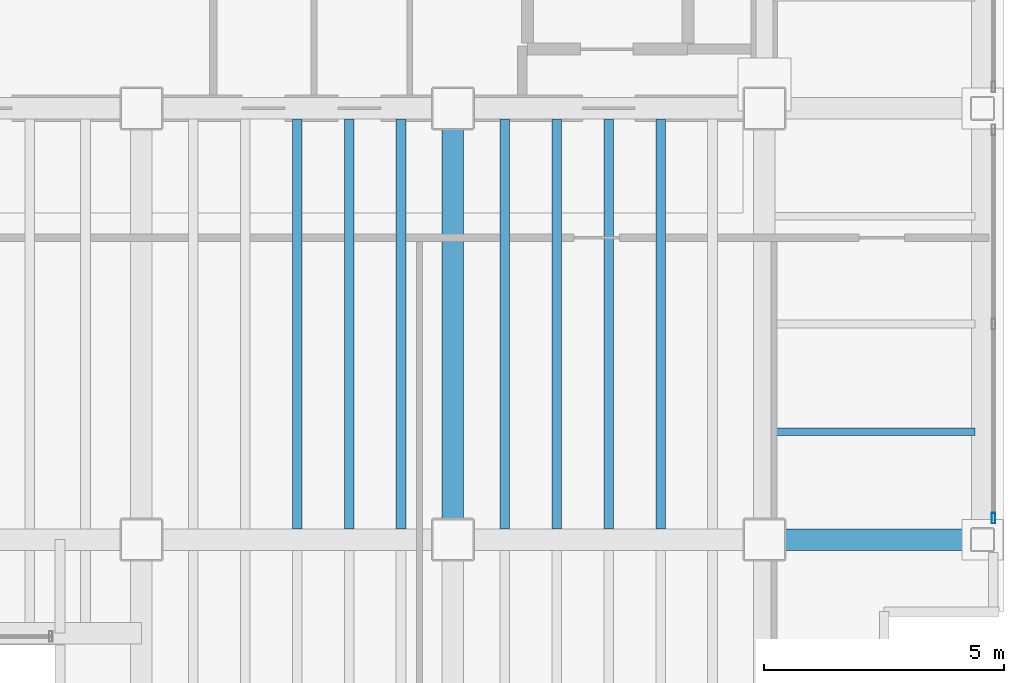
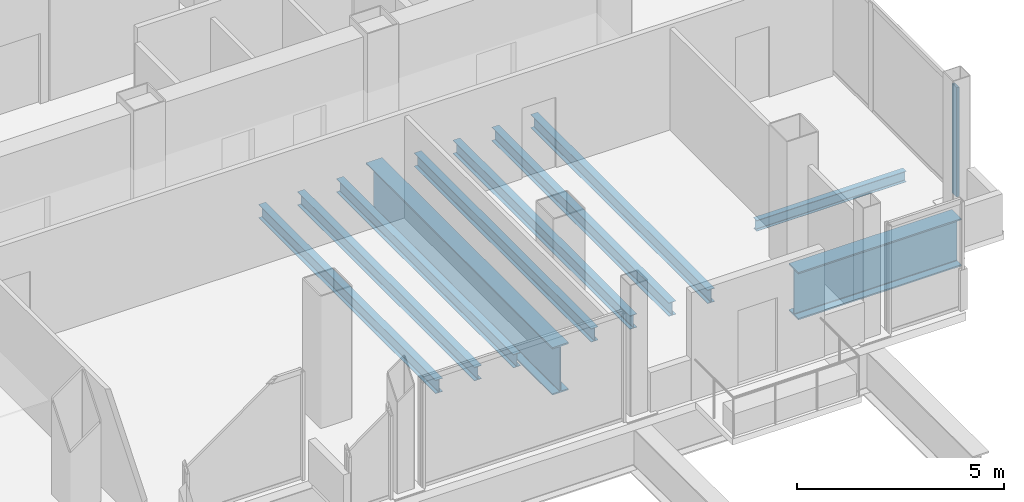
# One storey, part 14 of 24: 10 beams, 1 member, 1 element without a shape of its own.
"""IFC4 building model written with IfcOpenShell, lengths in metres."""

import ifcopenshell
import ifcopenshell.guid

model = None  # the IFC model being written
_history = None  # IfcOwnerHistory: only IFC2X3 demands one
_inside = {}  # id of a spatial element -> (the spatial element, [elements in it])
_under = {}  # id of a project, library or spatial element -> (it, [spatial elements below it])
_declared = {}  # id of a project -> (the project, [libraries it declares])
_typed = {}  # id of a type object -> (the type object, [elements of that type])
_made_of = {}  # id of a material, layer set ... -> (it, [elements and type objects made of it])


def new_model(schema):
    """Start an empty IFC model of exactly this schema.

    Asked for "IFC4X3", IfcOpenShell would pick the latest addendum, in which some entities
    have other attributes; the version numbers below select the first issue.
    IFC2X3 requires an IfcOwnerHistory on every rooted entity: one is made here for all.
    """
    global model, _history
    if schema == "IFC4X3":
        model = ifcopenshell.file(schema_version=(4, 3, 0, 0))
    else:
        model = ifcopenshell.file(schema=schema)
    _inside.clear()
    _under.clear()
    _declared.clear()
    _typed.clear()
    _made_of.clear()
    _history = None
    if model.schema == "IFC2X3":
        org = make("IfcOrganization", Name="unknown")
        user = make(
            "IfcPersonAndOrganization",
            ThePerson=make("IfcPerson", FamilyName="unknown"),
            TheOrganization=org,
        )
        app = make(
            "IfcApplication",
            ApplicationDeveloper=org,
            Version="unknown",
            ApplicationFullName="unknown",
            ApplicationIdentifier="unknown",
        )
        _history = make(
            "IfcOwnerHistory",
            OwningUser=user,
            OwningApplication=app,
            ChangeAction="ADDED",
            CreationDate=0,
        )
    return model


def make(cls, **values):
    """One entity of the class cls with the attributes given. An attribute that is None is left unset."""
    return model.create_entity(
        cls, **{name: value for name, value in values.items() if value is not None}
    )


def rooted(cls, **values):
    """An entity with a GlobalId (a new one), such as an element, a storey or a relation."""
    return make(cls, GlobalId=ifcopenshell.guid.new(), OwnerHistory=_history, **values)


def si_unit(unit_type, name, prefix=None):
    """IfcSIUnit, for example si_unit("LENGTHUNIT", "METRE", prefix="MILLI")."""
    return make("IfcSIUnit", UnitType=unit_type, Prefix=prefix, Name=name)


def assignment(units):
    """IfcUnitAssignment: the units of a project."""
    return None if units is None else make("IfcUnitAssignment", Units=units)


def point(xyz):
    """IfcCartesianPoint."""
    return None if xyz is None else make("IfcCartesianPoint", Coordinates=xyz)


def direction(xyz):
    """IfcDirection."""
    return None if xyz is None else make("IfcDirection", DirectionRatios=xyz)


def frame(location, z_axis=None, x_axis=None):
    """IfcAxis2Placement3D, a coordinate frame: its origin and axes. An axis left out is left unset."""
    return make(
        "IfcAxis2Placement3D",
        Location=point(location),
        Axis=direction(z_axis),
        RefDirection=direction(x_axis),
    )


def frame_2d(location, x_axis=None):
    """IfcAxis2Placement2D, a coordinate frame in the plane: its origin and x axis."""
    return make(
        "IfcAxis2Placement2D", Location=point(location), RefDirection=direction(x_axis)
    )


def origin():
    """The frame at (0, 0, 0) with its axes left unset."""
    return frame((0.0, 0.0, 0.0))


def origin_2d():
    """The frame at (0, 0) in the plane with its x axis left unset."""
    return frame_2d((0.0, 0.0))


def place(relative_to, where):
    """IfcLocalPlacement: puts the frame where relative to a parent placement (None: the world)."""
    return make(
        "IfcLocalPlacement", PlacementRelTo=relative_to, RelativePlacement=where
    )


def context(
    kind, dimensions, precision=None, world=None, true_north=None, identifier=None
):
    """IfcGeometricRepresentationContext, for example the 3D "Model" context."""
    return make(
        "IfcGeometricRepresentationContext",
        ContextIdentifier=identifier,
        ContextType=kind,
        CoordinateSpaceDimension=dimensions,
        Precision=precision,
        WorldCoordinateSystem=world,
        TrueNorth=true_north,
    )


def subcontext(parent, identifier, kind, view, scale=None):
    """IfcGeometricRepresentationSubContext, for example "Body" below "Model"."""
    return make(
        "IfcGeometricRepresentationSubContext",
        ContextIdentifier=identifier,
        ContextType=kind,
        ParentContext=parent,
        TargetScale=scale,
        TargetView=view,
    )


def project(units=None, contexts=None):
    """IfcProject with its units and contexts."""
    return rooted(
        "IfcProject",
        Name="project",
        RepresentationContexts=contexts,
        UnitsInContext=assignment(units),
    )


def spatial(cls, under=None, at=None, **own):
    """A site, building, storey or space (cls), placed at a placement, below another one or the project."""
    s = rooted(cls, ObjectPlacement=at, **own)
    if under is not None:
        _under.setdefault(under.id(), (under, []))[1].append(s)
    return s


def profile(cls, at=None, kind="AREA", **sizes):
    """A parametric profile (cls). Its sizes go by their IFC names, for example OverallWidth=200.0."""
    return make(cls, ProfileType=kind, Position=at, **sizes)


def hollow_rectangle(**sizes):
    """IfcRectangleHollowProfileDef."""
    return profile("IfcRectangleHollowProfileDef", **sizes)


def i_section(**sizes):
    """IfcIShapeProfileDef."""
    return profile("IfcIShapeProfileDef", **sizes)


def extrude(swept, where, along, depth):
    """IfcExtrudedAreaSolid: the profile swept, set in the frame where, extruded along a direction by depth."""
    return make(
        "IfcExtrudedAreaSolid",
        SweptArea=swept,
        Position=where,
        ExtrudedDirection=direction(along),
        Depth=depth,
    )


def shape(context_of_items, identifier, shape_type, items):
    """IfcShapeRepresentation: the items that make up one representation, for example the "Body"."""
    return make(
        "IfcShapeRepresentation",
        ContextOfItems=context_of_items,
        RepresentationIdentifier=identifier,
        RepresentationType=shape_type,
        Items=items,
    )


def material(Name=None, Category=None):
    """IfcMaterial."""
    return make("IfcMaterial", Name=Name, Category=Category)


def material_profile(
    of_material, cross_section, Name=None, Category=None, Priority=None
):
    """IfcMaterialProfile: a cross section and its material."""
    return make(
        "IfcMaterialProfile",
        Name=Name,
        Material=of_material,
        Profile=cross_section,
        Priority=Priority,
        Category=Category,
    )


def profile_set(profiles, Name=None, composite=None):
    """IfcMaterialProfileSet."""
    return make(
        "IfcMaterialProfileSet",
        Name=Name,
        MaterialProfiles=profiles,
        CompositeProfile=composite,
    )


def made_of(thing, what):
    """Note that an element or type object is made of a material, layer set ...; save() writes the relation."""
    if what is not None:
        _made_of.setdefault(what.id(), (what, []))[1].append(thing)
    return thing


def type_object(cls, material=None, **own):
    """A type object (cls), such as IfcWallType, which elements share."""
    return made_of(rooted(cls, **own), material)


def element(
    cls,
    number,
    at=None,
    inside=None,
    cuts=None,
    type_object=None,
    material=None,
    context=None,
    identifier="Body",
    shape_type=None,
    held_by="IfcProductDefinitionShape",
    body=None,
    shapes=None,
    **own,
):
    """One element of the class cls, such as IfcWall. Its Tag is "e" and its number.

    at: its placement. inside: the storey or other place that contains it. cuts: it is an
    opening in that element (IfcRelVoidsElement). A single representation is given by context,
    identifier, shape_type and body (its items); several are given by shapes. held_by: the class
    of the entity that holds the representations. save() writes the other relations.
    """
    e = rooted(cls, Tag="e%d" % number, ObjectPlacement=at, **own)
    if body is not None:
        shapes = [shape(context, identifier, shape_type, body)]
    if shapes is not None:
        e.Representation = make(held_by, Representations=shapes)
    if inside is not None:
        _inside.setdefault(inside.id(), (inside, []))[1].append(e)
    if cuts is not None:
        rooted(
            "IfcRelVoidsElement", RelatingBuildingElement=cuts, RelatedOpeningElement=e
        )
    if type_object is not None:
        _typed.setdefault(type_object.id(), (type_object, []))[1].append(e)
    return made_of(e, material)


def aggregate(whole, parts):
    """IfcRelAggregates: a whole, such as a stair, and the parts it consists of."""
    return rooted("IfcRelAggregates", RelatingObject=whole, RelatedObjects=parts)


def save(model, path):
    """Write the relations noted so far, then the file.

    IfcRelAggregates (storeys below a building ...), IfcRelContainedInSpatialStructure (elements
    in a storey), IfcRelDefinesByType, IfcRelAssociatesMaterial and IfcRelDeclares: one each for
    every whole, place, type object, material and project.
    """
    for whole, parts in _under.values():
        aggregate(whole, parts)
    for where, things in _inside.values():
        rooted(
            "IfcRelContainedInSpatialStructure",
            RelatedElements=things,
            RelatingStructure=where,
        )
    for kind, things in _typed.values():
        rooted("IfcRelDefinesByType", RelatedObjects=things, RelatingType=kind)
    for what, things in _made_of.values():
        rooted("IfcRelAssociatesMaterial", RelatedObjects=things, RelatingMaterial=what)
    for by, libraries in _declared.values():
        rooted("IfcRelDeclares", RelatingContext=by, RelatedDefinitions=libraries)
    model.write(path)


model = new_model("IFC4")

# Units and contexts
model_context = context("Model", 3, precision=1e-05, world=origin(), true_north=direction((0.0, 1.0)))
body_context = subcontext(model_context, "Body", "Model", "MODEL_VIEW")
ifc_project = project(units=[si_unit("LENGTHUNIT", "METRE"), si_unit("AREAUNIT", "SQUARE_METRE"), si_unit("VOLUMEUNIT", "CUBIC_METRE"), si_unit("PLANEANGLEUNIT", "RADIAN"), si_unit("MASSUNIT", "GRAM", prefix="KILO")], contexts=[model_context])

# Site, building, storey
site_placement = place(None, origin())
site = spatial("IfcSite", under=ifc_project, at=site_placement, CompositionType="ELEMENT")
building_placement = place(site_placement, origin())
building = spatial("IfcBuilding", under=site, at=building_placement, Name="Noeulbin Bourse Tower", CompositionType="ELEMENT")
storey_placement = place(building_placement, frame((0.0, 0.0, 142.199951171875)))
storey = spatial("IfcBuildingStorey", under=building, at=storey_placement, Name="L35", CompositionType="ELEMENT", Elevation=142.199951171875)

# Beams
ifc_material_1 = material(Name="Steel S355", Category="steel")
ifc_material_profile_1 = material_profile(ifc_material_1, i_section(OverallWidth=0.159912109375, OverallDepth=0.320068359375, WebThickness=0.006591796875, FlangeThickness=0.010009765625, FilletRadius=0.012939453125, at=origin_2d()), Name="H-320x160x6.5x10", Category="LoadBearing")
ifc_profile_set_1 = profile_set([ifc_material_profile_1], Name="Steel S355")
beam_type_1 = type_object("IfcBeamType", Name="BM-JST-320", PredefinedType="JOIST", material=ifc_profile_set_1)
beam_1_placement = place(storey_placement, frame((44.22509765625, 22.25, -0.39990234375), z_axis=(1.0, 0.0, 0.0), x_axis=(0.0, 1.0, 0.0)))
element("IfcBeam", 1, at=beam_1_placement, inside=storey, type_object=beam_type_1, Name="Wing Composite Joist L35-E73", PredefinedType="JOIST", context=body_context, shape_type="SweptSolid", body=[
    extrude(i_section(OverallWidth=0.159912109375, OverallDepth=0.320068359375, WebThickness=0.006591796875, FlangeThickness=0.010009765625, FilletRadius=0.012939453125, at=origin_2d()), origin(), (0.0, 0.0, 1.0), 4.1748046875),
])
ifc_material_profile_2 = material_profile(ifc_material_1, i_section(OverallWidth=0.199951171875, OverallDepth=0.39990234375, WebThickness=0.008056640625, FlangeThickness=0.012939453125, FilletRadius=0.01611328125, at=origin_2d()), Name="H-400x200x8x13", Category="LoadBearing")
ifc_profile_set_2 = profile_set([ifc_material_profile_2], Name="Steel S355")
beam_type_2 = type_object("IfcBeamType", Name="BM-SEC-400", PredefinedType="BEAM", material=ifc_profile_set_2)
for number, where, z_axis, x_axis, name in (
    (2, (34.25, 20.22509765625, -0.43994140625), (0.0, 1.0, 0.0), (-1.0, 0.0, 0.0), "Tower Composite Joist L35-47"),
    (3, (35.333251953125, 20.22509765625, -0.43994140625), (0.0, 1.0, 0.0), (-1.0, 0.0, 0.0), "Tower Composite Joist L35-50"),
    (4, (36.416748046875, 20.22509765625, -0.43994140625), (0.0, 1.0, 0.0), (-1.0, 0.0, 0.0), "Tower Composite Joist L35-53"),
    (5, (38.583251953125, 20.22509765625, -0.43994140625), (0.0, 1.0, 0.0), (-1.0, 0.0, 0.0), "Tower Composite Joist L35-56"),
    (6, (39.666748046875, 20.22509765625, -0.43994140625), (0.0, 1.0, 0.0), (-1.0, 0.0, 0.0), "Tower Composite Joist L35-59"),
    (7, (40.75, 20.22509765625, -0.43994140625), (0.0, 1.0, 0.0), (-1.0, 0.0, 0.0), "Tower Composite Joist L35-62"),
    (8, (41.833251953125, 20.22509765625, -0.43994140625), (0.0, 1.0, 0.0), (-1.0, 0.0, 0.0), "Tower Composite Joist L35-65"),
):
    element("IfcBeam", number, at=place(storey_placement, frame(where, z_axis=z_axis, x_axis=x_axis)), inside=storey, type_object=beam_type_2, Name=name, PredefinedType="BEAM", context=body_context, shape_type="SweptSolid", body=[
        extrude(i_section(OverallWidth=0.199951171875, OverallDepth=0.39990234375, WebThickness=0.008056640625, FlangeThickness=0.012939453125, FilletRadius=0.01611328125, at=origin_2d()), origin(), (0.0, 0.0, 1.0), 8.5498046875),
    ])
ifc_material_2 = material(Name="Steel S460", Category="steel")
ifc_material_profile_3 = material_profile(ifc_material_2, i_section(OverallWidth=0.449951171875, OverallDepth=1.39990234375, WebThickness=0.02392578125, FlangeThickness=0.0400390625, FilletRadius=0.02392578125, at=origin_2d()), Name="PG-1400x450x24x40", Category="LoadBearing")
ifc_profile_set_3 = profile_set([ifc_material_profile_3], Name="Steel S460")
beam_type_3 = type_object("IfcBeamType", Name="BM-TRF-1400", PredefinedType="USERDEFINED", material=ifc_profile_set_3)
beam_2_placement = place(storey_placement, frame((44.0, 20.0, -0.93994140625), z_axis=(1.0, 0.0, 0.0), x_axis=(0.0, 1.0, 0.0)))
element("IfcBeam", 9, at=beam_2_placement, inside=storey, type_object=beam_type_3, Name="Tower Primary Girder EW L35-1.6", ObjectType="GIRDER", PredefinedType="USERDEFINED", context=body_context, shape_type="SweptSolid", body=[
    extrude(i_section(OverallWidth=0.449951171875, OverallDepth=1.39990234375, WebThickness=0.02392578125, FlangeThickness=0.0400390625, FilletRadius=0.02392578125, at=origin_2d()), origin(), (0.0, 0.0, 1.0), 4.550048828125),
])
beam_3_placement = place(storey_placement, frame((37.5, 20.0, -0.93994140625), z_axis=(0.0, 1.0, 0.0), x_axis=(-1.0, 0.0, 0.0)))
element("IfcBeam", 10, at=beam_3_placement, inside=storey, type_object=beam_type_3, Name="Tower Primary Girder NS L35-4.2", ObjectType="GIRDER", PredefinedType="USERDEFINED", context=body_context, shape_type="SweptSolid", body=[
    extrude(i_section(OverallWidth=0.449951171875, OverallDepth=1.39990234375, WebThickness=0.02392578125, FlangeThickness=0.0400390625, FilletRadius=0.02392578125, at=origin_2d()), origin(), (0.0, 0.0, 1.0), 9.0),
])

# Curtain wall, member
ifc_material_3 = material(Name="Dark Tinted Triple Glazing", Category="glass")
curtain_wall_type = type_object("IfcCurtainWallType", Name="CW-SYS-3", PredefinedType="NOTDEFINED", material=ifc_material_3)
curtain_wall_placement = place(storey_placement, origin())
curtain_wall = element("IfcCurtainWall", 11, at=curtain_wall_placement, inside=storey, type_object=curtain_wall_type, Name="Unitised Curtain Wall CW-L35-E-S1", PredefinedType="NOTDEFINED")
ifc_material_4 = material(Name="Anodised Aluminium 6063-T6", Category="aluminium")
ifc_material_profile_4 = material_profile(ifc_material_4, hollow_rectangle(XDim=0.074951171875, YDim=0.219970703125, WallThickness=0.0048828125, InnerFilletRadius=0.00244140625, OuterFilletRadius=0.0048828125, at=origin_2d()), Name="ALU-MULL-75x220x5", Category="LoadBearing")
ifc_profile_set_4 = profile_set([ifc_material_profile_4], Name="Anodised Aluminium 6063-T6")
member_type = type_object("IfcMemberType", Name="CW-SYS-3-MUL", PredefinedType="MULLION", material=ifc_profile_set_4)
member_placement = place(storey_placement, frame((48.780029296875, 20.449951171875, -0.02001953125), z_axis=(0.0, 0.0, 1.0), x_axis=(1.0, 0.0, 0.0)))
member = element("IfcMember", 12, at=member_placement, type_object=member_type, Name="Curtain Wall Mullion CW-L35-E-S1-M00", PredefinedType="MULLION", context=body_context, shape_type="SweptSolid", body=[
    extrude(hollow_rectangle(XDim=0.074951171875, YDim=0.219970703125, WallThickness=0.0048828125, InnerFilletRadius=0.00244140625, OuterFilletRadius=0.0048828125, at=origin_2d()), origin(), (0.0, 0.0, 1.0), 3.219970703125),
])
aggregate(curtain_wall, [member])

save(model, "model.ifc")
